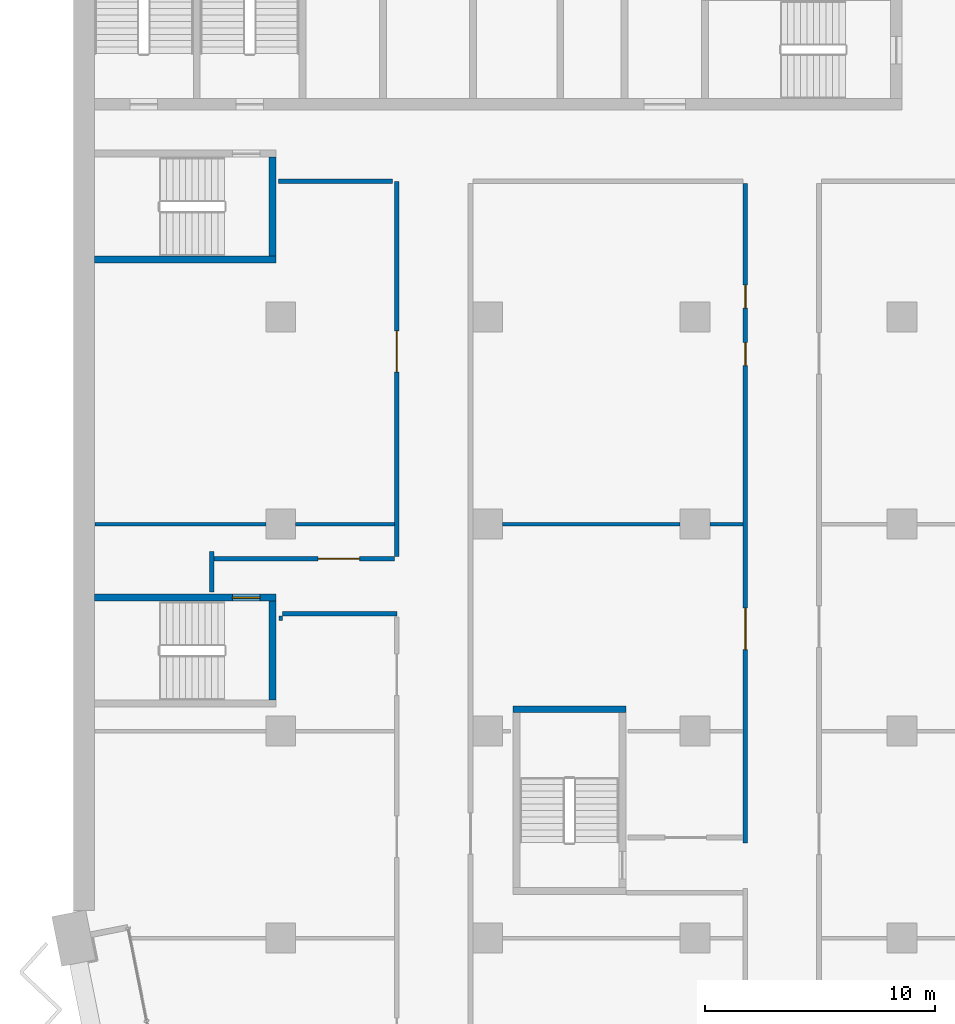
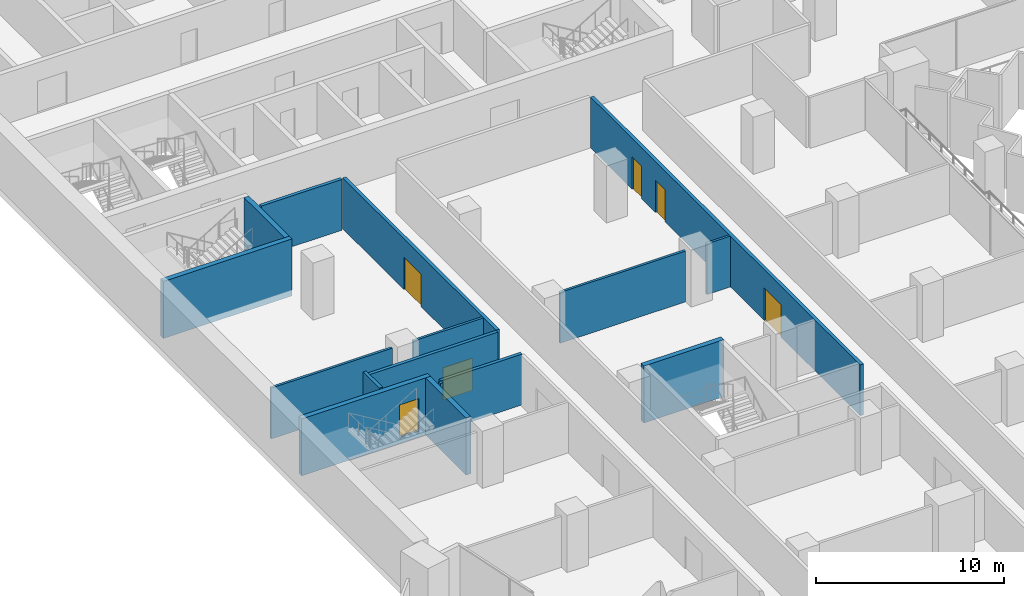
# One storey, part 10 of 22: 16 walls, 6 doors, 6 openings.
"""IFC4 building model written with IfcOpenShell, lengths in metres."""

import ifcopenshell
import ifcopenshell.guid

model = None  # the IFC model being written
_history = None  # IfcOwnerHistory: only IFC2X3 demands one
_inside = {}  # id of a spatial element -> (the spatial element, [elements in it])
_under = {}  # id of a project, library or spatial element -> (it, [spatial elements below it])
_declared = {}  # id of a project -> (the project, [libraries it declares])
_typed = {}  # id of a type object -> (the type object, [elements of that type])
_made_of = {}  # id of a material, layer set ... -> (it, [elements and type objects made of it])


def new_model(schema):
    """Start an empty IFC model of exactly this schema.

    Asked for "IFC4X3", IfcOpenShell would pick the latest addendum, in which some entities
    have other attributes; the version numbers below select the first issue.
    IFC2X3 requires an IfcOwnerHistory on every rooted entity: one is made here for all.
    """
    global model, _history
    if schema == "IFC4X3":
        model = ifcopenshell.file(schema_version=(4, 3, 0, 0))
    else:
        model = ifcopenshell.file(schema=schema)
    _inside.clear()
    _under.clear()
    _declared.clear()
    _typed.clear()
    _made_of.clear()
    _history = None
    if model.schema == "IFC2X3":
        org = make("IfcOrganization", Name="unknown")
        user = make(
            "IfcPersonAndOrganization",
            ThePerson=make("IfcPerson", FamilyName="unknown"),
            TheOrganization=org,
        )
        app = make(
            "IfcApplication",
            ApplicationDeveloper=org,
            Version="unknown",
            ApplicationFullName="unknown",
            ApplicationIdentifier="unknown",
        )
        _history = make(
            "IfcOwnerHistory",
            OwningUser=user,
            OwningApplication=app,
            ChangeAction="ADDED",
            CreationDate=0,
        )
    return model


def make(cls, **values):
    """One entity of the class cls with the attributes given. An attribute that is None is left unset."""
    return model.create_entity(
        cls, **{name: value for name, value in values.items() if value is not None}
    )


def rooted(cls, **values):
    """An entity with a GlobalId (a new one), such as an element, a storey or a relation."""
    return make(cls, GlobalId=ifcopenshell.guid.new(), OwnerHistory=_history, **values)


def si_unit(unit_type, name, prefix=None):
    """IfcSIUnit, for example si_unit("LENGTHUNIT", "METRE", prefix="MILLI")."""
    return make("IfcSIUnit", UnitType=unit_type, Prefix=prefix, Name=name)


def assignment(units):
    """IfcUnitAssignment: the units of a project."""
    return None if units is None else make("IfcUnitAssignment", Units=units)


def point(xyz):
    """IfcCartesianPoint."""
    return None if xyz is None else make("IfcCartesianPoint", Coordinates=xyz)


def direction(xyz):
    """IfcDirection."""
    return None if xyz is None else make("IfcDirection", DirectionRatios=xyz)


def frame(location, z_axis=None, x_axis=None):
    """IfcAxis2Placement3D, a coordinate frame: its origin and axes. An axis left out is left unset."""
    return make(
        "IfcAxis2Placement3D",
        Location=point(location),
        Axis=direction(z_axis),
        RefDirection=direction(x_axis),
    )


def frame_2d(location, x_axis=None):
    """IfcAxis2Placement2D, a coordinate frame in the plane: its origin and x axis."""
    return make(
        "IfcAxis2Placement2D", Location=point(location), RefDirection=direction(x_axis)
    )


def origin():
    """The frame at (0, 0, 0) with its axes left unset."""
    return frame((0.0, 0.0, 0.0))


def place(relative_to, where):
    """IfcLocalPlacement: puts the frame where relative to a parent placement (None: the world)."""
    return make(
        "IfcLocalPlacement", PlacementRelTo=relative_to, RelativePlacement=where
    )


def context(
    kind, dimensions, precision=None, world=None, true_north=None, identifier=None
):
    """IfcGeometricRepresentationContext, for example the 3D "Model" context."""
    return make(
        "IfcGeometricRepresentationContext",
        ContextIdentifier=identifier,
        ContextType=kind,
        CoordinateSpaceDimension=dimensions,
        Precision=precision,
        WorldCoordinateSystem=world,
        TrueNorth=true_north,
    )


def subcontext(parent, identifier, kind, view, scale=None):
    """IfcGeometricRepresentationSubContext, for example "Body" below "Model"."""
    return make(
        "IfcGeometricRepresentationSubContext",
        ContextIdentifier=identifier,
        ContextType=kind,
        ParentContext=parent,
        TargetScale=scale,
        TargetView=view,
    )


def project(units=None, contexts=None):
    """IfcProject with its units and contexts."""
    return rooted(
        "IfcProject",
        Name="project",
        RepresentationContexts=contexts,
        UnitsInContext=assignment(units),
    )


def spatial(cls, under=None, at=None, **own):
    """A site, building, storey or space (cls), placed at a placement, below another one or the project."""
    s = rooted(cls, ObjectPlacement=at, **own)
    if under is not None:
        _under.setdefault(under.id(), (under, []))[1].append(s)
    return s


def profile(cls, at=None, kind="AREA", **sizes):
    """A parametric profile (cls). Its sizes go by their IFC names, for example OverallWidth=200.0."""
    return make(cls, ProfileType=kind, Position=at, **sizes)


def rectangle(**sizes):
    """IfcRectangleProfileDef."""
    return profile("IfcRectangleProfileDef", **sizes)


def extrude(swept, where, along, depth):
    """IfcExtrudedAreaSolid: the profile swept, set in the frame where, extruded along a direction by depth."""
    return make(
        "IfcExtrudedAreaSolid",
        SweptArea=swept,
        Position=where,
        ExtrudedDirection=direction(along),
        Depth=depth,
    )


def shape(context_of_items, identifier, shape_type, items):
    """IfcShapeRepresentation: the items that make up one representation, for example the "Body"."""
    return make(
        "IfcShapeRepresentation",
        ContextOfItems=context_of_items,
        RepresentationIdentifier=identifier,
        RepresentationType=shape_type,
        Items=items,
    )


def material(Name=None, Category=None):
    """IfcMaterial."""
    return make("IfcMaterial", Name=Name, Category=Category)


def layer(
    of_material, thickness, ventilated=None, Name=None, Category=None, Priority=None
):
    """IfcMaterialLayer: one layer of a wall or slab, of a material (None: an air gap)."""
    return make(
        "IfcMaterialLayer",
        Material=of_material,
        LayerThickness=thickness,
        IsVentilated=ventilated,
        Name=Name,
        Category=Category,
        Priority=Priority,
    )


def layer_set(layers, Name=None):
    """IfcMaterialLayerSet."""
    return make("IfcMaterialLayerSet", MaterialLayers=layers, LayerSetName=Name)


def made_of(thing, what):
    """Note that an element or type object is made of a material, layer set ...; save() writes the relation."""
    if what is not None:
        _made_of.setdefault(what.id(), (what, []))[1].append(thing)
    return thing


def type_object(cls, material=None, **own):
    """A type object (cls), such as IfcWallType, which elements share."""
    return made_of(rooted(cls, **own), material)


def element(
    cls,
    number,
    at=None,
    inside=None,
    cuts=None,
    type_object=None,
    material=None,
    context=None,
    identifier="Body",
    shape_type=None,
    held_by="IfcProductDefinitionShape",
    body=None,
    shapes=None,
    **own,
):
    """One element of the class cls, such as IfcWall. Its Tag is "e" and its number.

    at: its placement. inside: the storey or other place that contains it. cuts: it is an
    opening in that element (IfcRelVoidsElement). A single representation is given by context,
    identifier, shape_type and body (its items); several are given by shapes. held_by: the class
    of the entity that holds the representations. save() writes the other relations.
    """
    e = rooted(cls, Tag="e%d" % number, ObjectPlacement=at, **own)
    if body is not None:
        shapes = [shape(context, identifier, shape_type, body)]
    if shapes is not None:
        e.Representation = make(held_by, Representations=shapes)
    if inside is not None:
        _inside.setdefault(inside.id(), (inside, []))[1].append(e)
    if cuts is not None:
        rooted(
            "IfcRelVoidsElement", RelatingBuildingElement=cuts, RelatedOpeningElement=e
        )
    if type_object is not None:
        _typed.setdefault(type_object.id(), (type_object, []))[1].append(e)
    return made_of(e, material)


def fill(opening, filler):
    """IfcRelFillsElement: the door or window that sits in an opening."""
    return rooted(
        "IfcRelFillsElement",
        RelatingOpeningElement=opening,
        RelatedBuildingElement=filler,
    )


def aggregate(whole, parts):
    """IfcRelAggregates: a whole, such as a stair, and the parts it consists of."""
    return rooted("IfcRelAggregates", RelatingObject=whole, RelatedObjects=parts)


def save(model, path):
    """Write the relations noted so far, then the file.

    IfcRelAggregates (storeys below a building ...), IfcRelContainedInSpatialStructure (elements
    in a storey), IfcRelDefinesByType, IfcRelAssociatesMaterial and IfcRelDeclares: one each for
    every whole, place, type object, material and project.
    """
    for whole, parts in _under.values():
        aggregate(whole, parts)
    for where, things in _inside.values():
        rooted(
            "IfcRelContainedInSpatialStructure",
            RelatedElements=things,
            RelatingStructure=where,
        )
    for kind, things in _typed.values():
        rooted("IfcRelDefinesByType", RelatedObjects=things, RelatingType=kind)
    for what, things in _made_of.values():
        rooted("IfcRelAssociatesMaterial", RelatedObjects=things, RelatingMaterial=what)
    for by, libraries in _declared.values():
        rooted("IfcRelDeclares", RelatingContext=by, RelatedDefinitions=libraries)
    model.write(path)


model = new_model("IFC4")

# Units and contexts
model_context = context("Model", 3, precision=1e-05, world=origin(), true_north=direction((0.0, 1.0)))
body_context = subcontext(model_context, "Body", "Model", "MODEL_VIEW")
ifc_project = project(units=[si_unit("LENGTHUNIT", "METRE"), si_unit("AREAUNIT", "SQUARE_METRE"), si_unit("VOLUMEUNIT", "CUBIC_METRE"), si_unit("PLANEANGLEUNIT", "RADIAN"), si_unit("MASSUNIT", "GRAM", prefix="KILO")], contexts=[model_context])

# Site, building, storey
site_placement = place(None, origin())
site = spatial("IfcSite", under=ifc_project, at=site_placement, CompositionType="ELEMENT")
building_placement = place(site_placement, origin())
building = spatial("IfcBuilding", under=site, at=building_placement, Name="Hunhe Ridgeline Campus", CompositionType="ELEMENT")
storey_placement = place(building_placement, frame((0.0, 0.0, 118.10009765625)))
storey = spatial("IfcBuildingStorey", under=building, at=storey_placement, Name="L29", CompositionType="ELEMENT", Elevation=118.10009765625)

# Wall
ifc_material_1 = material(Name="Gypsum board partition")
ifc_layer_1 = layer(ifc_material_1, 0.199951171875)
ifc_layer_set_1 = layer_set([ifc_layer_1], Name="Corridor partition 200 gypsum board on steel studs")
wall_type_1 = type_object("IfcWallType", Name="Corridor partition 200 gypsum board on steel studs", PredefinedType="PARTITIONING", material=ifc_layer_set_1)
wall_1_placement = place(storey_placement, frame((14.050048828125, 41.10009765625, 0.0), z_axis=(0.0, 0.0, 1.0), x_axis=(-1.0, 0.0, 0.0)))
element("IfcWall", 1, at=wall_1_placement, inside=storey, type_object=wall_type_1, Name="F-L29-wall-022", PredefinedType="PARTITIONING", context=body_context, shape_type="SweptSolid", body=[
    extrude(rectangle(XDim=4.97509765625, YDim=0.199951171875, at=frame_2d((2.487548828125, 0.0))), origin(), (0.0, 0.0, 1.0), 3.2998046875),
])

# Wall, opening, door
wall_2_placement = place(storey_placement, frame((6.10009765625, 43.5, 0.0), z_axis=(0.0, 0.0, 1.0), x_axis=(1.0, 0.0, 0.0)))
wall_2 = element("IfcWall", 2, at=wall_2_placement, inside=storey, type_object=wall_type_1, Name="F-L29-wall-023", PredefinedType="PARTITIONING", context=body_context, shape_type="SweptSolid", body=[
    extrude(rectangle(XDim=7.849853515625, YDim=0.199951171875, at=frame_2d((3.9248046875, 0.0))), origin(), (0.0, 0.0, 1.0), 3.2998046875),
])
opening_1_placement = place(wall_2_placement, frame((4.52490234375, 0.0, 0.0)))
opening_1 = element("IfcOpeningElement", 3, at=opening_1_placement, cuts=wall_2, Name="Opening RD2-014", PredefinedType="OPENING", context=body_context, shape_type="SweptSolid", body=[
    extrude(rectangle(XDim=1.800048828125, YDim=2.10009765625, at=frame_2d((0.89990234375, 1.050048828125))), frame((0.0, 0.10009765625, 0.0), z_axis=(0.0, -1.0, 0.0), x_axis=(1.0, 0.0, 0.0)), (0.0, 0.0, 1.0), 0.199951171875),
])
ifc_material_2 = material(Name="Timber door leaf", Category="wood")
door_type_1 = type_object("IfcDoorType", Name="Double fire door 1800x2100 timber FD60", OperationType="DOUBLE_DOOR_SINGLE_SWING", PredefinedType="DOOR", material=ifc_material_2)
door_1_placement = place(opening_1_placement, origin())
door_1 = element("IfcDoor", 4, at=door_1_placement, inside=storey, type_object=door_type_1, Name="F-L29-door-014", OperationType="DOUBLE_DOOR_SINGLE_SWING", OverallHeight=2.10009765625, OverallWidth=1.800048828125, PredefinedType="DOOR", context=body_context, shape_type="SweptSolid", body=[
    extrude(rectangle(XDim=1.800048828125, YDim=2.10009765625, at=frame_2d((0.89990234375, 1.050048828125))), frame((0.0, 0.02490234375, 0.0), z_axis=(0.0, -1.0, 0.0), x_axis=(1.0, 0.0, 0.0)), (0.0, 0.0, 1.0), 0.050048828125),
])
fill(opening_1, door_1)

# Walls
wall_3_placement = place(storey_placement, frame((13.859375, 59.89990234375, 0.0), z_axis=(0.0, 0.0, 1.0), x_axis=(-1.0, 0.0, 0.0)))
element("IfcWall", 5, at=wall_3_placement, inside=storey, type_object=wall_type_1, Name="F-L29-wall-031", PredefinedType="PARTITIONING", context=body_context, shape_type="SweptSolid", body=[
    extrude(rectangle(XDim=4.955322265625, YDim=0.199951171875, at=frame_2d((2.4775390625, 0.0))), origin(), (0.0, 0.0, 1.0), 3.2998046875),
])
wall_4_placement = place(storey_placement, frame((6.0, 42.053955078125, 0.0), z_axis=(0.0, 0.0, 1.0), x_axis=(0.0, 1.0, 0.0)))
element("IfcWall", 6, at=wall_4_placement, inside=storey, type_object=wall_type_1, Name="F-L29-wall-041", PredefinedType="PARTITIONING", context=body_context, shape_type="SweptSolid", body=[
    extrude(rectangle(XDim=1.74609375, YDim=0.199951171875, at=frame_2d((0.873046875, 0.0))), origin(), (0.0, 0.0, 1.0), 3.2998046875),
])

# Wall, opening, door
wall_5_placement = place(storey_placement, frame((14.050048828125, 43.60009765625, 0.0), z_axis=(0.0, 0.0, 1.0), x_axis=(0.0, 1.0, 0.0)))
wall_5 = element("IfcWall", 7, at=wall_5_placement, inside=storey, type_object=wall_type_1, Name="F-L29-wall-044", PredefinedType="PARTITIONING", context=body_context, shape_type="SweptSolid", body=[
    extrude(rectangle(XDim=16.2998046875, YDim=0.199951171875, at=frame_2d((8.14990234375, 0.0))), origin(), (0.0, 0.0, 1.0), 3.2998046875),
])
opening_2_placement = place(wall_5_placement, frame((8.002197265625, 0.0, 0.0)))
opening_2 = element("IfcOpeningElement", 8, at=opening_2_placement, cuts=wall_5, Name="Opening RD2-017", PredefinedType="OPENING", context=body_context, shape_type="SweptSolid", body=[
    extrude(rectangle(XDim=1.800048828125, YDim=2.10009765625, at=frame_2d((0.89990234375, 1.050048828125))), frame((0.0, 0.10009765625, 0.0), z_axis=(0.0, -1.0, 0.0), x_axis=(1.0, 0.0, 0.0)), (0.0, 0.0, 1.0), 0.199951171875),
])
door_2_placement = place(opening_2_placement, origin())
door_2 = element("IfcDoor", 9, at=door_2_placement, inside=storey, type_object=door_type_1, Name="F-L29-door-017", OperationType="DOUBLE_DOOR_SINGLE_SWING", OverallHeight=2.10009765625, OverallWidth=1.800048828125, PredefinedType="DOOR", context=body_context, shape_type="SweptSolid", body=[
    extrude(rectangle(XDim=1.800048828125, YDim=2.10009765625, at=frame_2d((0.89990234375, 1.050048828125))), frame((0.0, 0.02490234375, 0.0), z_axis=(0.0, -1.0, 0.0), x_axis=(1.0, 0.0, 0.0)), (0.0, 0.0, 1.0), 0.050048828125),
])
fill(opening_2, door_2)

# Wall, openings, doors
wall_6_placement = place(storey_placement, frame((29.199951171875, 31.14306640625, 0.0), z_axis=(0.0, 0.0, 1.0), x_axis=(0.0, 1.0, 0.0)))
wall_6 = element("IfcWall", 10, at=wall_6_placement, inside=storey, type_object=wall_type_1, Name="F-L29-wall-047", PredefinedType="PARTITIONING", context=body_context, shape_type="SweptSolid", body=[
    extrude(rectangle(XDim=28.656982421875, YDim=0.199951171875, at=frame_2d((14.32861328125, 0.0))), origin(), (0.0, 0.0, 1.0), 3.2998046875),
])
opening_3_placement = place(wall_6_placement, frame((8.40087890625, 0.0, 0.0)))
opening_3 = element("IfcOpeningElement", 11, at=opening_3_placement, cuts=wall_6, Name="Opening RD2-012", PredefinedType="OPENING", context=body_context, shape_type="SweptSolid", body=[
    extrude(rectangle(XDim=1.800048828125, YDim=2.10009765625, at=frame_2d((0.89990234375, 1.050048828125))), frame((0.0, 0.10009765625, 0.0), z_axis=(0.0, -1.0, 0.0), x_axis=(1.0, 0.0, 0.0)), (0.0, 0.0, 1.0), 0.199951171875),
])
opening_4_placement = place(wall_6_placement, frame((20.7412109375, 0.0, 0.0)))
opening_4 = element("IfcOpeningElement", 12, at=opening_4_placement, cuts=wall_6, Name="Opening RD1-015", PredefinedType="OPENING", context=body_context, shape_type="SweptSolid", body=[
    extrude(rectangle(XDim=1.0, YDim=2.10009765625, at=frame_2d((0.5, 1.050048828125))), frame((0.0, 0.10009765625, 0.0), z_axis=(0.0, -1.0, 0.0), x_axis=(1.0, 0.0, 0.0)), (0.0, 0.0, 1.0), 0.199951171875),
])
opening_5_placement = place(wall_6_placement, frame((23.2412109375, 0.0, 0.0)))
opening_5 = element("IfcOpeningElement", 13, at=opening_5_placement, cuts=wall_6, Name="Opening RD1-018", PredefinedType="OPENING", context=body_context, shape_type="SweptSolid", body=[
    extrude(rectangle(XDim=1.0, YDim=2.10009765625, at=frame_2d((0.5, 1.050048828125))), frame((0.0, 0.10009765625, 0.0), z_axis=(0.0, -1.0, 0.0), x_axis=(1.0, 0.0, 0.0)), (0.0, 0.0, 1.0), 0.199951171875),
])
door_3_placement = place(opening_3_placement, origin())
door_3 = element("IfcDoor", 14, at=door_3_placement, inside=storey, type_object=door_type_1, Name="F-L29-door-012", OperationType="DOUBLE_DOOR_SINGLE_SWING", OverallHeight=2.10009765625, OverallWidth=1.800048828125, PredefinedType="DOOR", context=body_context, shape_type="SweptSolid", body=[
    extrude(rectangle(XDim=1.800048828125, YDim=2.10009765625, at=frame_2d((0.89990234375, 1.050048828125))), frame((0.0, 0.02490234375, 0.0), z_axis=(0.0, -1.0, 0.0), x_axis=(1.0, 0.0, 0.0)), (0.0, 0.0, 1.0), 0.050048828125),
])
fill(opening_3, door_3)
door_type_2 = type_object("IfcDoorType", Name="Single fire door 1000x2100 timber FD60", OperationType="NOTDEFINED", PredefinedType="DOOR", material=ifc_material_2)
door_4_placement = place(opening_4_placement, frame((1.0, 0.0, 0.0), z_axis=(0.0, 0.0, 1.0), x_axis=(-1.0, 0.0, 0.0)))
door_4 = element("IfcDoor", 15, at=door_4_placement, inside=storey, type_object=door_type_2, Name="F-L29-door-015", OperationType="SINGLE_SWING_RIGHT", OverallHeight=2.10009765625, OverallWidth=1.0, PredefinedType="DOOR", context=body_context, shape_type="SweptSolid", body=[
    extrude(rectangle(XDim=1.0, YDim=2.10009765625, at=frame_2d((0.5, 1.050048828125))), frame((0.0, 0.02490234375, 0.0), z_axis=(0.0, -1.0, 0.0), x_axis=(1.0, 0.0, 0.0)), (0.0, 0.0, 1.0), 0.050048828125),
])
fill(opening_4, door_4)
door_5_placement = place(opening_5_placement, frame((1.0, 0.0, 0.0), z_axis=(0.0, 0.0, 1.0), x_axis=(-1.0, 0.0, 0.0)))
door_5 = element("IfcDoor", 16, at=door_5_placement, inside=storey, type_object=door_type_2, Name="F-L29-door-018", OperationType="SINGLE_SWING_LEFT", OverallHeight=2.10009765625, OverallWidth=1.0, PredefinedType="DOOR", context=body_context, shape_type="SweptSolid", body=[
    extrude(rectangle(XDim=1.0, YDim=2.10009765625, at=frame_2d((0.5, 1.050048828125))), frame((0.0, 0.02490234375, 0.0), z_axis=(0.0, -1.0, 0.0), x_axis=(1.0, 0.0, 0.0)), (0.0, 0.0, 1.0), 0.050048828125),
])
fill(opening_5, door_5)

# Walls
ifc_layer_2 = layer(ifc_material_1, 0.14990234375)
ifc_layer_set_2 = layer_set([ifc_layer_2], Name="Room partition 150 gypsum board on steel studs")
wall_type_2 = type_object("IfcWallType", Name="Room partition 150 gypsum board on steel studs", PredefinedType="PARTITIONING", material=ifc_layer_set_2)
wall_7_placement = place(storey_placement, frame((0.919921875, 45.0, 0.0), z_axis=(0.0, 0.0, 1.0), x_axis=(1.0, 0.0, 0.0)))
element("IfcWall", 17, at=wall_7_placement, inside=storey, type_object=wall_type_2, Name="F-L29-wall-024", PredefinedType="PARTITIONING", context=body_context, shape_type="SweptSolid", body=[
    extrude(rectangle(XDim=7.43017578125, YDim=0.14990234375, at=frame_2d((3.715087890625, 0.0))), origin(), (0.0, 0.0, 1.0), 3.2998046875),
])
wall_8_placement = place(storey_placement, frame((9.64990234375, 45.0, 0.0), z_axis=(0.0, 0.0, 1.0), x_axis=(1.0, 0.0, 0.0)))
element("IfcWall", 18, at=wall_8_placement, inside=storey, type_object=wall_type_2, Name="F-L29-wall-025", PredefinedType="PARTITIONING", context=body_context, shape_type="SweptSolid", body=[
    extrude(rectangle(XDim=4.300048828125, YDim=0.14990234375, at=frame_2d((2.14990234375, 0.0))), origin(), (0.0, 0.0, 1.0), 3.2998046875),
])
wall_9_placement = place(storey_placement, frame((18.64990234375, 45.0, 0.0), z_axis=(0.0, 0.0, 1.0), x_axis=(1.0, 0.0, 0.0)))
element("IfcWall", 19, at=wall_9_placement, inside=storey, type_object=wall_type_2, Name="F-L29-wall-026", PredefinedType="PARTITIONING", context=body_context, shape_type="SweptSolid", body=[
    extrude(rectangle(XDim=7.7001953125, YDim=0.14990234375, at=frame_2d((3.85009765625, 0.0))), origin(), (0.0, 0.0, 1.0), 3.2998046875),
])
wall_10_placement = place(storey_placement, frame((27.64990234375, 45.0, 0.0), z_axis=(0.0, 0.0, 1.0), x_axis=(1.0, 0.0, 0.0)))
element("IfcWall", 20, at=wall_10_placement, inside=storey, type_object=wall_type_2, Name="F-L29-wall-027", PredefinedType="PARTITIONING", context=body_context, shape_type="SweptSolid", body=[
    extrude(rectangle(XDim=1.4501953125, YDim=0.14990234375, at=frame_2d((0.72509765625, 0.0))), origin(), (0.0, 0.0, 1.0), 3.2998046875),
])
wall_11_placement = place(storey_placement, frame((9.0, 41.0, 0.0), z_axis=(0.0, 0.0, 1.0), x_axis=(0.0, -1.0, 0.0)))
element("IfcWall", 21, at=wall_11_placement, inside=storey, type_object=wall_type_2, Name="F-L29-wall-042", PredefinedType="PARTITIONING", context=body_context, shape_type="SweptSolid", body=[
    extrude(rectangle(XDim=0.199951171875, YDim=0.14990234375, at=frame_2d((0.10009765625, 0.0))), origin(), (0.0, 0.0, 1.0), 3.2998046875),
])
ifc_material_3 = material(Name="Concrete C80", Category="concrete")
ifc_layer_3 = layer(ifc_material_3, 0.300048828125)
ifc_layer_set_3 = layer_set([ifc_layer_3], Name="Stair wall 300 reinforced concrete C80")
wall_type_3 = type_object("IfcWallType", Name="Stair wall 300 reinforced concrete C80", PredefinedType="SOLIDWALL", material=ifc_layer_set_3)
wall_12_placement = place(storey_placement, frame((19.10009765625, 36.949951171875, -0.400146484375), z_axis=(0.0, 0.0, 1.0), x_axis=(1.0, 0.0, 0.0)))
element("IfcWall", 22, at=wall_12_placement, inside=storey, type_object=wall_type_3, Name="L29 core wall 2", PredefinedType="SOLIDWALL", context=body_context, shape_type="SweptSolid", body=[
    extrude(rectangle(XDim=4.89990234375, YDim=0.300048828125, at=frame_2d((2.449951171875, 0.0))), origin(), (0.0, 0.0, 1.0), 3.699951171875),
])

# Wall, opening, door
wall_13_placement = place(storey_placement, frame((0.89990234375, 41.800048828125, -0.400146484375), z_axis=(0.0, 0.0, 1.0), x_axis=(1.0, 0.0, 0.0)))
wall_13 = element("IfcWall", 23, at=wall_13_placement, inside=storey, type_object=wall_type_3, Name="L29 core wall 4", PredefinedType="SOLIDWALL", context=body_context, shape_type="SweptSolid", body=[
    extrude(rectangle(XDim=7.900146484375, YDim=0.300048828125, at=frame_2d((3.9501953125, 0.0))), origin(), (0.0, 0.0, 1.0), 3.699951171875),
])
opening_6_placement = place(wall_13_placement, frame((6.0, 0.0, 0.39990234375)))
opening_6 = element("IfcOpeningElement", 24, at=opening_6_placement, cuts=wall_13, Name="Opening CD21", PredefinedType="OPENING", context=body_context, shape_type="SweptSolid", body=[
    extrude(rectangle(XDim=1.199951171875, YDim=2.10009765625, at=frame_2d((0.60009765625, 1.050048828125))), frame((0.0, 0.14990234375, 0.0), z_axis=(0.0, -1.0, 0.0), x_axis=(1.0, 0.0, 0.0)), (0.0, 0.0, 1.0), 0.300048828125),
])
ifc_material_4 = material(Name="Hollow metal fire door leaf")
door_type_3 = type_object("IfcDoorType", Name="Stair door 1200x2100 FD60", OperationType="SINGLE_SWING_LEFT", PredefinedType="DOOR", material=ifc_material_4)
door_6_placement = place(opening_6_placement, origin())
door_6 = element("IfcDoor", 25, at=door_6_placement, inside=storey, type_object=door_type_3, Name="L29 door W1", OperationType="SINGLE_SWING_RIGHT", OverallHeight=2.10009765625, OverallWidth=1.199951171875, PredefinedType="DOOR", context=body_context, shape_type="SweptSolid", body=[
    extrude(rectangle(XDim=1.199951171875, YDim=2.10009765625, at=frame_2d((0.60009765625, 1.050048828125))), frame((0.0, 0.02490234375, 0.0), z_axis=(0.0, -1.0, 0.0), x_axis=(1.0, 0.0, 0.0)), (0.0, 0.0, 1.0), 0.050048828125),
])
fill(opening_6, door_6)

# Walls
wall_14_placement = place(storey_placement, frame((0.89990234375, 56.5, -0.400146484375), z_axis=(0.0, 0.0, 1.0), x_axis=(1.0, 0.0, 0.0)))
element("IfcWall", 26, at=wall_14_placement, inside=storey, type_object=wall_type_3, Name="L29 core wall 5", PredefinedType="SOLIDWALL", context=body_context, shape_type="SweptSolid", body=[
    extrude(rectangle(XDim=7.900146484375, YDim=0.300048828125, at=frame_2d((3.9501953125, 0.0))), origin(), (0.0, 0.0, 1.0), 3.699951171875),
])
wall_15_placement = place(storey_placement, frame((8.64990234375, 37.35009765625, -0.400146484375), z_axis=(0.0, 0.0, 1.0), x_axis=(0.0, 1.0, 0.0)))
element("IfcWall", 27, at=wall_15_placement, inside=storey, type_object=wall_type_3, Name="L29 core wall 38", PredefinedType="SOLIDWALL", context=body_context, shape_type="SweptSolid", body=[
    extrude(rectangle(XDim=4.2998046875, YDim=0.300048828125, at=frame_2d((2.14990234375, 0.0))), origin(), (0.0, 0.0, 1.0), 3.699951171875),
])
wall_16_placement = place(storey_placement, frame((8.64990234375, 56.64990234375, -0.400146484375), z_axis=(0.0, 0.0, 1.0), x_axis=(0.0, 1.0, 0.0)))
element("IfcWall", 28, at=wall_16_placement, inside=storey, type_object=wall_type_3, Name="L29 core wall 39", PredefinedType="SOLIDWALL", context=body_context, shape_type="SweptSolid", body=[
    extrude(rectangle(XDim=4.300048828125, YDim=0.300048828125, at=frame_2d((2.14990234375, 0.0))), origin(), (0.0, 0.0, 1.0), 3.699951171875),
])

save(model, "model.ifc")
